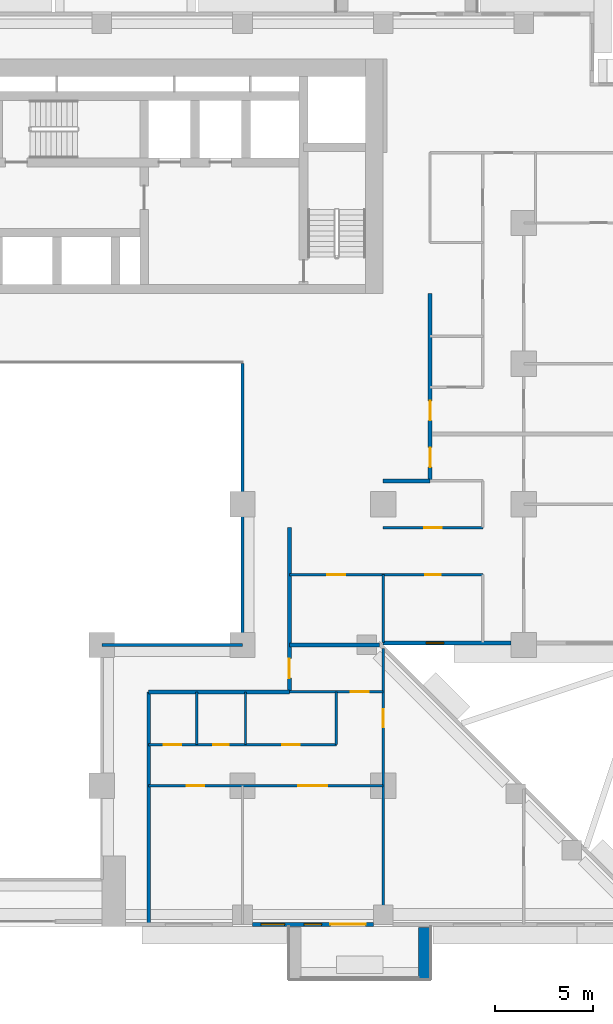
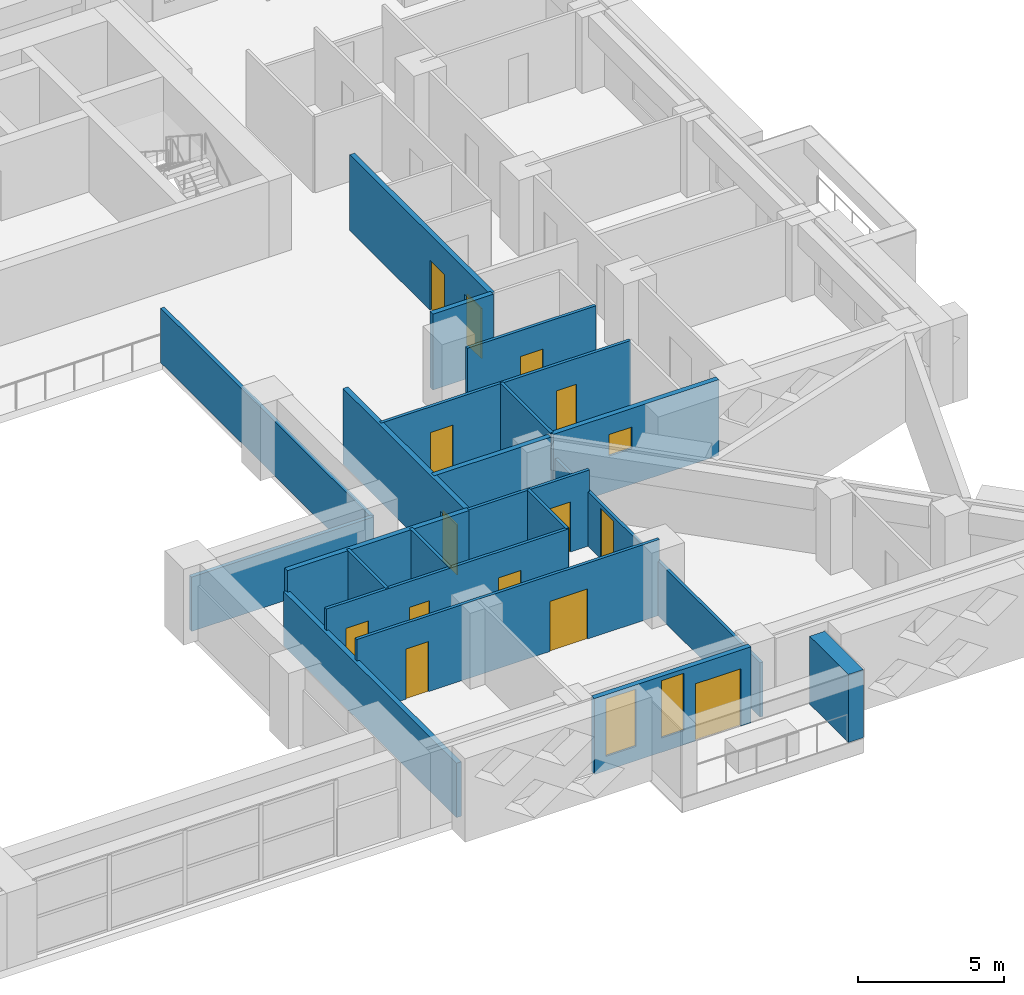
# One storey, part 8 of 16: 21 walls, 14 doors, 3 windows, 17 openings.
"""IFC4 building model written with IfcOpenShell, lengths in metres."""

from ifc_helpers import new_model, si_unit, direction, frame, frame_2d, origin, place, context, subcontext, project, spatial, rectangle, extrude, material, layer, layer_set, type_object, element, fill, save


model = new_model("IFC4")

# Units and contexts
model_context = context("Model", 3, precision=1e-05, world=origin(), true_north=direction((0.0, 1.0)))
body_context = subcontext(model_context, "Body", "Model", "MODEL_VIEW")
ifc_project = project(units=[si_unit("LENGTHUNIT", "METRE"), si_unit("AREAUNIT", "SQUARE_METRE"), si_unit("VOLUMEUNIT", "CUBIC_METRE"), si_unit("PLANEANGLEUNIT", "RADIAN"), si_unit("MASSUNIT", "GRAM", prefix="KILO")], contexts=[model_context])

# Site, building, storey
site_placement = place(None, origin())
site = spatial("IfcSite", under=ifc_project, at=site_placement, CompositionType="ELEMENT")
building_placement = place(site_placement, origin())
building = spatial("IfcBuilding", under=site, at=building_placement, Name="Saffron Iwan Residences", CompositionType="ELEMENT")
storey_placement = place(building_placement, frame((0.0, 0.0, 90.0)))
storey = spatial("IfcBuildingStorey", under=building, at=storey_placement, Name="L23", CompositionType="ELEMENT", Elevation=90.0)

# Walls
ifc_material_1 = material(Name="Fire-rated glazing", Category="glass")
ifc_layer_1 = layer(ifc_material_1, 0.14990234375)
ifc_layer_set_1 = layer_set([ifc_layer_1], Name="Fire-rated glazing")
wall_type_1 = type_object("IfcWallType", Name="Atrium glazed screen 150", PredefinedType="SOLIDWALL", material=ifc_layer_set_1)
wall_1_placement = place(storey_placement, frame((57.60009765625, 48.0, 0.0), z_axis=(0.0, 0.0, 1.0), x_axis=(1.0, 0.0, 0.0)))
element("IfcWall", 1, at=wall_1_placement, inside=storey, type_object=wall_type_1, Name="W-L23-SCREEN-h48-57.6", PredefinedType="SOLIDWALL", context=body_context, shape_type="SweptSolid", body=[
    extrude(rectangle(XDim=7.199951171875, YDim=0.14990234375, at=frame_2d((3.60009765625, 0.0))), origin(), (0.0, 0.0, 1.0), 2.280029296875),
])
wall_2_placement = place(storey_placement, frame((64.800048828125, 48.0, 0.0), z_axis=(0.0, 0.0, 1.0), x_axis=(0.0, 1.0, 0.0)))
element("IfcWall", 2, at=wall_2_placement, inside=storey, type_object=wall_type_1, Name="W-L23-SCREEN-v64.8-48", PredefinedType="SOLIDWALL", context=body_context, shape_type="SweptSolid", body=[
    extrude(rectangle(XDim=14.39990234375, YDim=0.14990234375, at=frame_2d((7.199951171875, 0.0))), origin(), (0.0, 0.0, 1.0), 2.280029296875),
])
ifc_material_2 = material(Name="Concrete C50/60 white painted", Category="concrete")
ifc_layer_2 = layer(ifc_material_2, 0.60009765625)
ifc_layer_set_2 = layer_set([ifc_layer_2], Name="Concrete C50/60 white painted")
wall_type_2 = type_object("IfcWallType", Name="BALCONY FIN 600", PredefinedType="SOLIDWALL", material=ifc_layer_set_2)
wall_3_placement = place(storey_placement, frame((74.10009765625, 33.550048828125, 0.0), z_axis=(0.0, 0.0, 1.0), x_axis=(0.0, -1.0, 0.0)))
element("IfcWall", 3, at=wall_3_placement, inside=storey, type_object=wall_type_2, Name="Balcony fin L23 11-1b", PredefinedType="SOLIDWALL", context=body_context, shape_type="SweptSolid", body=[
    extrude(rectangle(XDim=2.650146484375, YDim=0.60009765625, at=frame_2d((1.3251953125, 0.0))), origin(), (0.0, 0.0, 1.0), 2.85009765625),
])

# Wall, opening, window
ifc_material_3 = material(Name="Concrete C40/50", Category="concrete")
ifc_layer_3 = layer(ifc_material_3, 0.199951171875)
ifc_layer_set_3 = layer_set([ifc_layer_3], Name="Concrete C40/50")
wall_type_3 = type_object("IfcWallType", Name="EXTERNAL WALL 200", PredefinedType="SOLIDWALL", material=ifc_layer_set_3)
wall_4_placement = place(storey_placement, frame((71.988525390625, 48.10009765625, 0.0), z_axis=(0.0, 0.0, 1.0), x_axis=(1.0, 0.0, 0.0)))
wall_4 = element("IfcWall", 4, at=wall_4_placement, inside=storey, type_object=wall_type_3, Name="External wall L23 F1.0", PredefinedType="SOLIDWALL", context=body_context, shape_type="SweptSolid", body=[
    extrude(rectangle(XDim=6.5615234375, YDim=0.199951171875, at=frame_2d((3.28076171875, 0.0))), origin(), (0.0, 0.0, 1.0), 3.179931640625),
])
opening_1_placement = place(wall_4_placement, frame((2.205810546875, 0.0, 1.5)))
opening_1 = element("IfcOpeningElement", 5, at=opening_1_placement, cuts=wall_4, Name="Opening W6", PredefinedType="OPENING", context=body_context, shape_type="SweptSolid", body=[
    extrude(rectangle(XDim=0.89990234375, YDim=0.89990234375, at=frame_2d((0.449951171875, 0.449951171875))), frame((0.0, 0.10986328125, 0.0), z_axis=(0.0, -1.0, 0.0), x_axis=(1.0, 0.0, 0.0)), (0.0, 0.0, 1.0), 0.219970703125),
])
ifc_material_4 = material(Name="Clear glass, laminated double glazed", Category="glass")
window_type_1 = type_object("IfcWindowType", Name="WINDOW 900 x 900 BATH", PartitioningType="SINGLE_PANEL", PredefinedType="WINDOW", material=ifc_material_4)
window_1_placement = place(opening_1_placement, origin())
window_1 = element("IfcWindow", 6, at=window_1_placement, inside=storey, type_object=window_type_1, Name="Window L23 F1.0", OverallHeight=0.89990234375, OverallWidth=0.89990234375, PartitioningType="SINGLE_PANEL", PredefinedType="WINDOW", context=body_context, shape_type="SweptSolid", body=[
    extrude(rectangle(XDim=0.89990234375, YDim=0.89990234375, at=frame_2d((0.449951171875, 0.449951171875))), frame((0.0, 0.030029296875, 0.0), z_axis=(0.0, -1.0, 0.0), x_axis=(1.0, 0.0, 0.0)), (0.0, 0.0, 1.0), 0.06005859375),
])
fill(opening_1, window_1)

# Wall, openings, door, windows
wall_5_placement = place(storey_placement, frame((65.300048828125, 33.699951171875, 0.0), z_axis=(0.0, 0.0, 1.0), x_axis=(1.0, 0.0, 0.0)))
wall_5 = element("IfcWall", 7, at=wall_5_placement, inside=storey, type_object=wall_type_3, Name="External wall L23 F11.5", PredefinedType="SOLIDWALL", context=body_context, shape_type="SweptSolid", body=[
    extrude(rectangle(XDim=6.199951171875, YDim=0.199951171875, at=frame_2d((3.10009765625, 0.0))), origin(), (0.0, 0.0, 1.0), 3.179931640625),
])
opening_2_placement = place(wall_5_placement, frame((4.0, 0.0, 0.0)))
opening_2 = element("IfcOpeningElement", 8, at=opening_2_placement, cuts=wall_5, Name="Opening BD1", PredefinedType="OPENING", context=body_context, shape_type="SweptSolid", body=[
    extrude(rectangle(XDim=1.800048828125, YDim=2.39990234375, at=frame_2d((0.89990234375, 1.199951171875))), frame((0.0, 0.10986328125, 0.0), z_axis=(0.0, -1.0, 0.0), x_axis=(1.0, 0.0, 0.0)), (0.0, 0.0, 1.0), 0.219970703125),
])
opening_3_placement = place(wall_5_placement, frame((0.449951171875, 0.0, 0.60009765625)))
opening_3 = element("IfcOpeningElement", 9, at=opening_3_placement, cuts=wall_5, Name="Opening W3", PredefinedType="OPENING", context=body_context, shape_type="SweptSolid", body=[
    extrude(rectangle(XDim=1.199951171875, YDim=2.39990234375, at=frame_2d((0.60009765625, 1.199951171875))), frame((0.0, 0.10986328125, 0.0), z_axis=(0.0, -1.0, 0.0), x_axis=(1.0, 0.0, 0.0)), (0.0, 0.0, 1.0), 0.219970703125),
])
opening_4_placement = place(wall_5_placement, frame((2.64990234375, 0.0, 0.60009765625)))
opening_4 = element("IfcOpeningElement", 10, at=opening_4_placement, cuts=wall_5, Name="Opening W10", PredefinedType="OPENING", context=body_context, shape_type="SweptSolid", body=[
    extrude(rectangle(XDim=0.89990234375, YDim=2.39990234375, at=frame_2d((0.449951171875, 1.199951171875))), frame((0.0, 0.10986328125, 0.0), z_axis=(0.0, -1.0, 0.0), x_axis=(1.0, 0.0, 0.0)), (0.0, 0.0, 1.0), 0.219970703125),
])
door_type_1 = type_object("IfcDoorType", Name="BALCONY DOOR 1800 x 2400", OperationType="DOUBLE_DOOR_SLIDING", PredefinedType="DOOR", material=ifc_material_4)
door_1_placement = place(opening_2_placement, origin())
door_1 = element("IfcDoor", 11, at=door_1_placement, inside=storey, type_object=door_type_1, Name="Balcony door L23 F11.0", OperationType="DOUBLE_DOOR_SLIDING", OverallHeight=2.39990234375, OverallWidth=1.800048828125, PredefinedType="DOOR", context=body_context, shape_type="SweptSolid", body=[
    extrude(rectangle(XDim=1.800048828125, YDim=2.39990234375, at=frame_2d((0.89990234375, 1.199951171875))), frame((0.0, 0.02490234375, 0.0), z_axis=(0.0, -1.0, 0.0), x_axis=(1.0, 0.0, 0.0)), (0.0, 0.0, 1.0), 0.050048828125),
])
fill(opening_2, door_1)
window_type_2 = type_object("IfcWindowType", Name="WINDOW 1200 x 2400", PartitioningType="SINGLE_PANEL", PredefinedType="WINDOW", material=ifc_material_4)
window_2_placement = place(opening_3_placement, origin())
window_2 = element("IfcWindow", 12, at=window_2_placement, inside=storey, type_object=window_type_2, Name="Window L23 F11.1", OverallHeight=2.39990234375, OverallWidth=1.199951171875, PartitioningType="SINGLE_PANEL", PredefinedType="WINDOW", context=body_context, shape_type="SweptSolid", body=[
    extrude(rectangle(XDim=1.199951171875, YDim=2.39990234375, at=frame_2d((0.60009765625, 1.199951171875))), frame((0.0, 0.030029296875, 0.0), z_axis=(0.0, -1.0, 0.0), x_axis=(1.0, 0.0, 0.0)), (0.0, 0.0, 1.0), 0.06005859375),
])
fill(opening_3, window_2)
window_type_3 = type_object("IfcWindowType", Name="WINDOW 900 x 2400", PartitioningType="SINGLE_PANEL", PredefinedType="WINDOW", material=ifc_material_4)
window_3_placement = place(opening_4_placement, origin())
window_3 = element("IfcWindow", 13, at=window_3_placement, inside=storey, type_object=window_type_3, Name="Window L23 F11.2", OverallHeight=2.39990234375, OverallWidth=0.89990234375, PartitioningType="SINGLE_PANEL", PredefinedType="WINDOW", context=body_context, shape_type="SweptSolid", body=[
    extrude(rectangle(XDim=0.89990234375, YDim=2.39990234375, at=frame_2d((0.449951171875, 1.199951171875))), frame((0.0, 0.030029296875, 0.0), z_axis=(0.0, -1.0, 0.0), x_axis=(1.0, 0.0, 0.0)), (0.0, 0.0, 1.0), 0.06005859375),
])
fill(opening_4, window_3)

# Wall
ifc_material_5 = material(Name="Fire-rated gypsum board wall")
ifc_layer_4 = layer(ifc_material_5, 0.199951171875)
ifc_layer_set_4 = layer_set([ifc_layer_4], Name="Fire-rated gypsum board wall")
wall_type_4 = type_object("IfcWallType", Name="Flat demising wall 200", PredefinedType="SOLIDWALL", material=ifc_layer_set_4)
wall_6_placement = place(storey_placement, frame((67.199951171875, 48.0, 0.0), z_axis=(0.0, 0.0, 1.0), x_axis=(1.0, 0.0, 0.0)))
element("IfcWall", 14, at=wall_6_placement, inside=storey, type_object=wall_type_4, Name="W-L23-DEMISE-h48-67.2", PredefinedType="SOLIDWALL", context=body_context, shape_type="SweptSolid", body=[
    extrude(rectangle(XDim=4.623046875, YDim=0.199951171875, at=frame_2d((2.3115234375, 0.0))), origin(), (0.0, 0.0, 1.0), 3.179931640625),
])

# Wall, openings, doors
ifc_material_6 = material(Name="Gypsum board partition")
ifc_layer_5 = layer(ifc_material_6, 0.1201171875)
ifc_layer_set_5 = layer_set([ifc_layer_5], Name="Gypsum board partition")
wall_type_5 = type_object("IfcWallType", Name="Flat partition 120", PredefinedType="PARTITIONING", material=ifc_layer_set_5)
wall_7_placement = place(storey_placement, frame((60.0, 40.800048828125, 0.0), z_axis=(0.0, 0.0, 1.0), x_axis=(1.0, 0.0, 0.0)))
wall_7 = element("IfcWall", 15, at=wall_7_placement, inside=storey, type_object=wall_type_5, Name="W-L23-PART-h40.8-60", PredefinedType="PARTITIONING", context=body_context, shape_type="SweptSolid", body=[
    extrude(rectangle(XDim=12.0, YDim=0.1201171875, at=frame_2d((6.0, 0.0))), origin(), (0.0, 0.0, 1.0), 3.179931640625),
])
opening_5_placement = place(wall_7_placement, frame((7.64990234375, 0.0, 0.0)))
opening_5 = element("IfcOpeningElement", 16, at=opening_5_placement, cuts=wall_7, Name="Opening FD4", PredefinedType="OPENING", context=body_context, shape_type="SweptSolid", body=[
    extrude(rectangle(XDim=1.5, YDim=2.10009765625, at=frame_2d((0.75, 1.050048828125))), frame((0.0, 0.070068359375, 0.0), z_axis=(0.0, -1.0, 0.0), x_axis=(1.0, 0.0, 0.0)), (0.0, 0.0, 1.0), 0.14013671875),
])
opening_6_placement = place(wall_7_placement, frame((1.949951171875, 0.0, 0.0)))
opening_6 = element("IfcOpeningElement", 17, at=opening_6_placement, cuts=wall_7, Name="Opening FD2", PredefinedType="OPENING", context=body_context, shape_type="SweptSolid", body=[
    extrude(rectangle(XDim=0.89990234375, YDim=2.10009765625, at=frame_2d((0.449951171875, 1.050048828125))), frame((0.0, 0.070068359375, 0.0), z_axis=(0.0, -1.0, 0.0), x_axis=(1.0, 0.0, 0.0)), (0.0, 0.0, 1.0), 0.14013671875),
])
ifc_material_7 = material(Name="Timber door", Category="wood")
door_type_2 = type_object("IfcDoorType", Name="Double door 1500", OperationType="NOTDEFINED", PredefinedType="DOOR", material=ifc_material_7)
door_2_placement = place(opening_5_placement, origin())
door_2 = element("IfcDoor", 18, at=door_2_placement, inside=storey, type_object=door_type_2, Name="Door L23-044", OperationType="SINGLE_SWING_RIGHT", OverallHeight=2.10009765625, OverallWidth=1.5, PredefinedType="DOOR", context=body_context, shape_type="SweptSolid", body=[
    extrude(rectangle(XDim=1.5, YDim=2.10009765625, at=frame_2d((0.75, 1.050048828125))), frame((0.0, 0.02490234375, 0.0), z_axis=(0.0, -1.0, 0.0), x_axis=(1.0, 0.0, 0.0)), (0.0, 0.0, 1.0), 0.050048828125),
])
fill(opening_5, door_2)
door_type_3 = type_object("IfcDoorType", Name="Flat door 900", OperationType="NOTDEFINED", PredefinedType="DOOR", material=ifc_material_7)
door_3_placement = place(opening_6_placement, origin())
door_3 = element("IfcDoor", 19, at=door_3_placement, inside=storey, type_object=door_type_3, Name="Door L23-045", OperationType="SINGLE_SWING_LEFT", OverallHeight=2.10009765625, OverallWidth=0.89990234375, PredefinedType="DOOR", context=body_context, shape_type="SweptSolid", body=[
    extrude(rectangle(XDim=0.89990234375, YDim=2.10009765625, at=frame_2d((0.449951171875, 1.050048828125))), frame((0.0, 0.02490234375, 0.0), z_axis=(0.0, -1.0, 0.0), x_axis=(1.0, 0.0, 0.0)), (0.0, 0.0, 1.0), 0.050048828125),
])
fill(opening_6, door_3)

wall_8_placement = place(storey_placement, frame((60.0, 42.89990234375, 0.0), z_axis=(0.0, 0.0, 1.0), x_axis=(1.0, 0.0, 0.0)))
wall_8 = element("IfcWall", 20, at=wall_8_placement, inside=storey, type_object=wall_type_5, Name="W-L23-PART-h42.9-60", PredefinedType="PARTITIONING", context=body_context, shape_type="SweptSolid", body=[
    extrude(rectangle(XDim=9.60009765625, YDim=0.1201171875, at=frame_2d((4.800048828125, 0.0))), origin(), (0.0, 0.0, 1.0), 3.179931640625),
])
opening_7_placement = place(wall_8_placement, frame((6.824951171875, 0.0, 0.0)))
opening_7 = element("IfcOpeningElement", 21, at=opening_7_placement, cuts=wall_8, Name="Opening FD2", PredefinedType="OPENING", context=body_context, shape_type="SweptSolid", body=[
    extrude(rectangle(XDim=0.89990234375, YDim=2.10009765625, at=frame_2d((0.449951171875, 1.050048828125))), frame((0.0, 0.070068359375, 0.0), z_axis=(0.0, -1.0, 0.0), x_axis=(1.0, 0.0, 0.0)), (0.0, 0.0, 1.0), 0.14013671875),
])
opening_8_placement = place(wall_8_placement, frame((3.300048828125, 0.0, 0.0)))
opening_8 = element("IfcOpeningElement", 22, at=opening_8_placement, cuts=wall_8, Name="Opening FD3", PredefinedType="OPENING", context=body_context, shape_type="SweptSolid", body=[
    extrude(rectangle(XDim=0.800048828125, YDim=2.10009765625, at=frame_2d((0.39990234375, 1.050048828125))), frame((0.0, 0.070068359375, 0.0), z_axis=(0.0, -1.0, 0.0), x_axis=(1.0, 0.0, 0.0)), (0.0, 0.0, 1.0), 0.14013671875),
])
opening_9_placement = place(wall_8_placement, frame((0.77490234375, 0.0, 0.0)))
opening_9 = element("IfcOpeningElement", 23, at=opening_9_placement, cuts=wall_8, Name="Opening FD2", PredefinedType="OPENING", context=body_context, shape_type="SweptSolid", body=[
    extrude(rectangle(XDim=0.89990234375, YDim=2.10009765625, at=frame_2d((0.449951171875, 1.050048828125))), frame((0.0, 0.070068359375, 0.0), z_axis=(0.0, -1.0, 0.0), x_axis=(1.0, 0.0, 0.0)), (0.0, 0.0, 1.0), 0.14013671875),
])
door_type_4 = type_object("IfcDoorType", Name="Bathroom door 800", OperationType="NOTDEFINED", PredefinedType="DOOR", material=ifc_material_7)
door_4_placement = place(opening_8_placement, origin())
door_4 = element("IfcDoor", 24, at=door_4_placement, inside=storey, type_object=door_type_4, Name="Door L23-047", OperationType="SINGLE_SWING_RIGHT", OverallHeight=2.10009765625, OverallWidth=0.800048828125, PredefinedType="DOOR", context=body_context, shape_type="SweptSolid", body=[
    extrude(rectangle(XDim=0.800048828125, YDim=2.10009765625, at=frame_2d((0.39990234375, 1.050048828125))), frame((0.0, 0.02490234375, 0.0), z_axis=(0.0, -1.0, 0.0), x_axis=(1.0, 0.0, 0.0)), (0.0, 0.0, 1.0), 0.050048828125),
])
fill(opening_8, door_4)
door_5_placement = place(opening_7_placement, origin())
door_5 = element("IfcDoor", 25, at=door_5_placement, inside=storey, type_object=door_type_3, Name="Door L23-046", OperationType="SINGLE_SWING_LEFT", OverallHeight=2.10009765625, OverallWidth=0.89990234375, PredefinedType="DOOR", context=body_context, shape_type="SweptSolid", body=[
    extrude(rectangle(XDim=0.89990234375, YDim=2.10009765625, at=frame_2d((0.449951171875, 1.050048828125))), frame((0.0, 0.02490234375, 0.0), z_axis=(0.0, -1.0, 0.0), x_axis=(1.0, 0.0, 0.0)), (0.0, 0.0, 1.0), 0.050048828125),
])
fill(opening_7, door_5)
door_6_placement = place(opening_9_placement, origin())
door_6 = element("IfcDoor", 26, at=door_6_placement, inside=storey, type_object=door_type_3, Name="Door L23-048", OperationType="SINGLE_SWING_LEFT", OverallHeight=2.10009765625, OverallWidth=0.89990234375, PredefinedType="DOOR", context=body_context, shape_type="SweptSolid", body=[
    extrude(rectangle(XDim=0.89990234375, YDim=2.10009765625, at=frame_2d((0.449951171875, 1.050048828125))), frame((0.0, 0.02490234375, 0.0), z_axis=(0.0, -1.0, 0.0), x_axis=(1.0, 0.0, 0.0)), (0.0, 0.0, 1.0), 0.050048828125),
])
fill(opening_9, door_6)

# Wall, opening, door
wall_9_placement = place(storey_placement, frame((67.199951171875, 45.60009765625, 0.0), z_axis=(0.0, 0.0, 1.0), x_axis=(1.0, 0.0, 0.0)))
wall_9 = element("IfcWall", 27, at=wall_9_placement, inside=storey, type_object=wall_type_5, Name="W-L23-PART-h45.6-67.2", PredefinedType="PARTITIONING", context=body_context, shape_type="SweptSolid", body=[
    extrude(rectangle(XDim=4.800048828125, YDim=0.1201171875, at=frame_2d((2.39990234375, 0.0))), origin(), (0.0, 0.0, 1.0), 3.179931640625),
])
opening_10_placement = place(wall_9_placement, frame((3.14990234375, 0.0, 0.0)))
opening_10 = element("IfcOpeningElement", 28, at=opening_10_placement, cuts=wall_9, Name="Opening FD2", PredefinedType="OPENING", context=body_context, shape_type="SweptSolid", body=[
    extrude(rectangle(XDim=0.89990234375, YDim=2.10009765625, at=frame_2d((0.449951171875, 1.050048828125))), frame((0.0, 0.070068359375, 0.0), z_axis=(0.0, -1.0, 0.0), x_axis=(1.0, 0.0, 0.0)), (0.0, 0.0, 1.0), 0.14013671875),
])
door_7_placement = place(opening_10_placement, origin())
door_7 = element("IfcDoor", 29, at=door_7_placement, inside=storey, type_object=door_type_3, Name="Door L23-042", OperationType="SINGLE_SWING_LEFT", OverallHeight=2.10009765625, OverallWidth=0.89990234375, PredefinedType="DOOR", context=body_context, shape_type="SweptSolid", body=[
    extrude(rectangle(XDim=0.89990234375, YDim=2.10009765625, at=frame_2d((0.449951171875, 1.050048828125))), frame((0.0, 0.02490234375, 0.0), z_axis=(0.0, -1.0, 0.0), x_axis=(1.0, 0.0, 0.0)), (0.0, 0.0, 1.0), 0.050048828125),
])
fill(opening_10, door_7)

# Wall, openings, doors
wall_10_placement = place(storey_placement, frame((67.199951171875, 51.60009765625, 0.0), z_axis=(0.0, 0.0, 1.0), x_axis=(1.0, 0.0, 0.0)))
wall_10 = element("IfcWall", 30, at=wall_10_placement, inside=storey, type_object=wall_type_5, Name="W-L23-PART-h51.6-67.2", PredefinedType="PARTITIONING", context=body_context, shape_type="SweptSolid", body=[
    extrude(rectangle(XDim=9.900146484375, YDim=0.1201171875, at=frame_2d((4.9501953125, 0.0))), origin(), (0.0, 0.0, 1.0), 3.179931640625),
])
opening_11_placement = place(wall_10_placement, frame((6.949951171875, 0.0, 0.0)))
opening_11 = element("IfcOpeningElement", 31, at=opening_11_placement, cuts=wall_10, Name="Opening FD3", PredefinedType="OPENING", context=body_context, shape_type="SweptSolid", body=[
    extrude(rectangle(XDim=0.800048828125, YDim=2.10009765625, at=frame_2d((0.39990234375, 1.050048828125))), frame((0.0, 0.070068359375, 0.0), z_axis=(0.0, -1.0, 0.0), x_axis=(1.0, 0.0, 0.0)), (0.0, 0.0, 1.0), 0.14013671875),
])
opening_12_placement = place(wall_10_placement, frame((1.949951171875, 0.0, 0.0)))
opening_12 = element("IfcOpeningElement", 32, at=opening_12_placement, cuts=wall_10, Name="Opening FD2", PredefinedType="OPENING", context=body_context, shape_type="SweptSolid", body=[
    extrude(rectangle(XDim=0.89990234375, YDim=2.10009765625, at=frame_2d((0.449951171875, 1.050048828125))), frame((0.0, 0.070068359375, 0.0), z_axis=(0.0, -1.0, 0.0), x_axis=(1.0, 0.0, 0.0)), (0.0, 0.0, 1.0), 0.14013671875),
])
door_8_placement = place(opening_11_placement, origin())
door_8 = element("IfcDoor", 33, at=door_8_placement, inside=storey, type_object=door_type_4, Name="Door L23-024", OperationType="SINGLE_SWING_LEFT", OverallHeight=2.10009765625, OverallWidth=0.800048828125, PredefinedType="DOOR", context=body_context, shape_type="SweptSolid", body=[
    extrude(rectangle(XDim=0.800048828125, YDim=2.10009765625, at=frame_2d((0.39990234375, 1.050048828125))), frame((0.0, 0.02490234375, 0.0), z_axis=(0.0, -1.0, 0.0), x_axis=(1.0, 0.0, 0.0)), (0.0, 0.0, 1.0), 0.050048828125),
])
fill(opening_11, door_8)
door_9_placement = place(opening_12_placement, origin())
door_9 = element("IfcDoor", 34, at=door_9_placement, inside=storey, type_object=door_type_3, Name="Door L23-026", OperationType="SINGLE_SWING_RIGHT", OverallHeight=2.10009765625, OverallWidth=0.89990234375, PredefinedType="DOOR", context=body_context, shape_type="SweptSolid", body=[
    extrude(rectangle(XDim=0.89990234375, YDim=2.10009765625, at=frame_2d((0.449951171875, 1.050048828125))), frame((0.0, 0.02490234375, 0.0), z_axis=(0.0, -1.0, 0.0), x_axis=(1.0, 0.0, 0.0)), (0.0, 0.0, 1.0), 0.050048828125),
])
fill(opening_12, door_9)

# Wall, opening, door
wall_11_placement = place(storey_placement, frame((72.0, 54.0, 0.0), z_axis=(0.0, 0.0, 1.0), x_axis=(1.0, 0.0, 0.0)))
wall_11 = element("IfcWall", 35, at=wall_11_placement, inside=storey, type_object=wall_type_5, Name="W-L23-PART-h54-72", PredefinedType="PARTITIONING", context=body_context, shape_type="SweptSolid", body=[
    extrude(rectangle(XDim=5.10009765625, YDim=0.1201171875, at=frame_2d((2.550048828125, 0.0))), origin(), (0.0, 0.0, 1.0), 3.179931640625),
])
opening_13_placement = place(wall_11_placement, frame((2.10009765625, 0.0, 0.0)))
opening_13 = element("IfcOpeningElement", 36, at=opening_13_placement, cuts=wall_11, Name="Opening FD2", PredefinedType="OPENING", context=body_context, shape_type="SweptSolid", body=[
    extrude(rectangle(XDim=0.89990234375, YDim=2.10009765625, at=frame_2d((0.449951171875, 1.050048828125))), frame((0.0, 0.070068359375, 0.0), z_axis=(0.0, -1.0, 0.0), x_axis=(1.0, 0.0, 0.0)), (0.0, 0.0, 1.0), 0.14013671875),
])
door_10_placement = place(opening_13_placement, origin())
door_10 = element("IfcDoor", 37, at=door_10_placement, inside=storey, type_object=door_type_3, Name="Door L23-025", OperationType="SINGLE_SWING_LEFT", OverallHeight=2.10009765625, OverallWidth=0.89990234375, PredefinedType="DOOR", context=body_context, shape_type="SweptSolid", body=[
    extrude(rectangle(XDim=0.89990234375, YDim=2.10009765625, at=frame_2d((0.449951171875, 1.050048828125))), frame((0.0, 0.02490234375, 0.0), z_axis=(0.0, -1.0, 0.0), x_axis=(1.0, 0.0, 0.0)), (0.0, 0.0, 1.0), 0.050048828125),
])
fill(opening_13, door_10)

# Walls
for number, where, z_axis, x_axis, name in (
    (38, (62.449951171875, 42.89990234375, 0.0), (0.0, 0.0, 1.0), (0.0, 1.0, 0.0), "W-L23-PART-v62.45-42.9"),
    (39, (64.949951171875, 42.89990234375, 0.0), (0.0, 0.0, 1.0), (0.0, 1.0, 0.0), "W-L23-PART-v64.95-42.9"),
    (40, (69.60009765625, 42.89990234375, 0.0), (0.0, 0.0, 1.0), (0.0, 1.0, 0.0), "W-L23-PART-v69.6-42.9"),
):
    element("IfcWall", number, at=place(storey_placement, frame(where, z_axis=z_axis, x_axis=x_axis)), inside=storey, type_object=wall_type_5, Name=name, PredefinedType="PARTITIONING", context=body_context, shape_type="SweptSolid", body=[
        extrude(rectangle(XDim=2.7001953125, YDim=0.1201171875, at=frame_2d((1.35009765625, 0.0))), origin(), (0.0, 0.0, 1.0), 3.179931640625),
    ])

# Wall, opening, door
wall_12_placement = place(storey_placement, frame((72.0, 33.72509765625, 0.0), z_axis=(0.0, 0.0, 1.0), x_axis=(0.0, 1.0, 0.0)))
wall_12 = element("IfcWall", 41, at=wall_12_placement, inside=storey, type_object=wall_type_5, Name="W-L23-PART-v72-33.725", PredefinedType="PARTITIONING", context=body_context, shape_type="SweptSolid", body=[
    extrude(rectangle(XDim=14.097900390625, YDim=0.1201171875, at=frame_2d((7.048828125, 0.0))), origin(), (0.0, 0.0, 1.0), 2.280029296875),
])
opening_14_placement = place(wall_12_placement, frame((10.074951171875, 0.0, 0.0)))
opening_14 = element("IfcOpeningElement", 42, at=opening_14_placement, cuts=wall_12, Name="Opening FD2", PredefinedType="OPENING", context=body_context, shape_type="SweptSolid", body=[
    extrude(rectangle(XDim=0.89990234375, YDim=2.10009765625, at=frame_2d((0.449951171875, 1.050048828125))), frame((0.0, 0.070068359375, 0.0), z_axis=(0.0, -1.0, 0.0), x_axis=(1.0, 0.0, 0.0)), (0.0, 0.0, 1.0), 0.14013671875),
])
door_11_placement = place(opening_14_placement, origin())
door_11 = element("IfcDoor", 43, at=door_11_placement, inside=storey, type_object=door_type_3, Name="Door L23-049", OperationType="SINGLE_SWING_LEFT", OverallHeight=2.10009765625, OverallWidth=0.89990234375, PredefinedType="DOOR", context=body_context, shape_type="SweptSolid", body=[
    extrude(rectangle(XDim=0.89990234375, YDim=2.10009765625, at=frame_2d((0.449951171875, 1.050048828125))), frame((0.0, 0.02490234375, 0.0), z_axis=(0.0, -1.0, 0.0), x_axis=(1.0, 0.0, 0.0)), (0.0, 0.0, 1.0), 0.050048828125),
])
fill(opening_14, door_11)

# Walls
wall_13_placement = place(storey_placement, frame((72.0, 48.125, 0.0), z_axis=(0.0, 0.0, 1.0), x_axis=(0.0, 1.0, 0.0)))
element("IfcWall", 44, at=wall_13_placement, inside=storey, type_object=wall_type_5, Name="W-L23-PART-v72-48.125", PredefinedType="PARTITIONING", context=body_context, shape_type="SweptSolid", body=[
    extrude(rectangle(XDim=3.47509765625, YDim=0.1201171875, at=frame_2d((1.737548828125, 0.0))), origin(), (0.0, 0.0, 1.0), 3.179931640625),
])
ifc_layer_6 = layer(ifc_material_5, 0.199951171875)
ifc_layer_set_6 = layer_set([ifc_layer_6], Name="Fire-rated gypsum board wall")
wall_type_6 = type_object("IfcWallType", Name="Gallery wall 200", PredefinedType="SOLIDWALL", material=ifc_layer_set_6)
wall_14_placement = place(storey_placement, frame((60.0, 45.60009765625, 0.0), z_axis=(0.0, 0.0, 1.0), x_axis=(1.0, 0.0, 0.0)))
element("IfcWall", 45, at=wall_14_placement, inside=storey, type_object=wall_type_6, Name="W-L23-CORR-h45.6-60", PredefinedType="SOLIDWALL", context=body_context, shape_type="SweptSolid", body=[
    extrude(rectangle(XDim=7.199951171875, YDim=0.199951171875, at=frame_2d((3.60009765625, 0.0))), origin(), (0.0, 0.0, 1.0), 3.179931640625),
])
wall_15_placement = place(storey_placement, frame((72.0, 56.39990234375, 0.0), z_axis=(0.0, 0.0, 1.0), x_axis=(1.0, 0.0, 0.0)))
element("IfcWall", 46, at=wall_15_placement, inside=storey, type_object=wall_type_6, Name="W-L23-CORR-h56.4-72", PredefinedType="SOLIDWALL", context=body_context, shape_type="SweptSolid", body=[
    extrude(rectangle(XDim=2.39990234375, YDim=0.199951171875, at=frame_2d((1.199951171875, 0.0))), origin(), (0.0, 0.0, 1.0), 3.179931640625),
])
wall_16_placement = place(storey_placement, frame((60.0, 33.72509765625, 0.0), z_axis=(0.0, 0.0, 1.0), x_axis=(0.0, 1.0, 0.0)))
element("IfcWall", 47, at=wall_16_placement, inside=storey, type_object=wall_type_6, Name="W-L23-CORR-v60-33.725", PredefinedType="SOLIDWALL", context=body_context, shape_type="SweptSolid", body=[
    extrude(rectangle(XDim=11.875, YDim=0.199951171875, at=frame_2d((5.9375, 0.0))), origin(), (0.0, 0.0, 1.0), 2.280029296875),
])

# Wall, opening, door
wall_17_placement = place(storey_placement, frame((67.199951171875, 45.60009765625, 0.0), z_axis=(0.0, 0.0, 1.0), x_axis=(0.0, 1.0, 0.0)))
wall_17 = element("IfcWall", 48, at=wall_17_placement, inside=storey, type_object=wall_type_6, Name="W-L23-CORR-v67.2-45.6", PredefinedType="SOLIDWALL", context=body_context, shape_type="SweptSolid", body=[
    extrude(rectangle(XDim=8.39990234375, YDim=0.199951171875, at=frame_2d((4.199951171875, 0.0))), origin(), (0.0, 0.0, 1.0), 3.179931640625),
])
opening_15_placement = place(wall_17_placement, frame((0.699951171875, 0.0, 0.0)))
opening_15 = element("IfcOpeningElement", 49, at=opening_15_placement, cuts=wall_17, Name="Opening FD5", PredefinedType="OPENING", context=body_context, shape_type="SweptSolid", body=[
    extrude(rectangle(XDim=1.0, YDim=2.10009765625, at=frame_2d((0.5, 1.050048828125))), frame((0.0, 0.10986328125, 0.0), z_axis=(0.0, -1.0, 0.0), x_axis=(1.0, 0.0, 0.0)), (0.0, 0.0, 1.0), 0.219970703125),
])
ifc_material_8 = material(Name="Fire-rated timber door", Category="wood")
door_type_5 = type_object("IfcDoorType", Name="Lobby door 1000", OperationType="NOTDEFINED", PredefinedType="DOOR", material=ifc_material_8)
door_12_placement = place(opening_15_placement, origin())
door_12 = element("IfcDoor", 50, at=door_12_placement, inside=storey, type_object=door_type_5, Name="Door L23-043", OperationType="SINGLE_SWING_LEFT", OverallHeight=2.10009765625, OverallWidth=1.0, PredefinedType="DOOR", context=body_context, shape_type="SweptSolid", body=[
    extrude(rectangle(XDim=1.0, YDim=2.10009765625, at=frame_2d((0.5, 1.050048828125))), frame((0.0, 0.02490234375, 0.0), z_axis=(0.0, -1.0, 0.0), x_axis=(1.0, 0.0, 0.0)), (0.0, 0.0, 1.0), 0.050048828125),
])
fill(opening_15, door_12)

# Wall, openings, doors
wall_18_placement = place(storey_placement, frame((74.39990234375, 56.39990234375, 0.0), z_axis=(0.0, 0.0, 1.0), x_axis=(0.0, 1.0, 0.0)))
wall_18 = element("IfcWall", 51, at=wall_18_placement, inside=storey, type_object=wall_type_6, Name="W-L23-CORR-v74.4-56.4", PredefinedType="SOLIDWALL", context=body_context, shape_type="SweptSolid", body=[
    extrude(rectangle(XDim=9.60009765625, YDim=0.199951171875, at=frame_2d((4.800048828125, 0.0))), origin(), (0.0, 0.0, 1.0), 3.179931640625),
])
opening_16_placement = place(wall_18_placement, frame((0.699951171875, 0.0, 0.0)))
opening_16 = element("IfcOpeningElement", 52, at=opening_16_placement, cuts=wall_18, Name="Opening FD1", PredefinedType="OPENING", context=body_context, shape_type="SweptSolid", body=[
    extrude(rectangle(XDim=1.0, YDim=2.10009765625, at=frame_2d((0.5, 1.050048828125))), frame((0.0, 0.10986328125, 0.0), z_axis=(0.0, -1.0, 0.0), x_axis=(1.0, 0.0, 0.0)), (0.0, 0.0, 1.0), 0.219970703125),
])
opening_17_placement = place(wall_18_placement, frame((3.10009765625, 0.0, 0.0)))
opening_17 = element("IfcOpeningElement", 53, at=opening_17_placement, cuts=wall_18, Name="Opening FD1", PredefinedType="OPENING", context=body_context, shape_type="SweptSolid", body=[
    extrude(rectangle(XDim=1.0, YDim=2.10009765625, at=frame_2d((0.5, 1.050048828125))), frame((0.0, 0.10986328125, 0.0), z_axis=(0.0, -1.0, 0.0), x_axis=(1.0, 0.0, 0.0)), (0.0, 0.0, 1.0), 0.219970703125),
])
door_type_6 = type_object("IfcDoorType", Name="FD30S flat entrance door 1000", OperationType="NOTDEFINED", PredefinedType="DOOR", material=ifc_material_8)
door_13_placement = place(opening_16_placement, origin())
door_13 = element("IfcDoor", 54, at=door_13_placement, inside=storey, type_object=door_type_6, Name="Door L23-021", OperationType="SINGLE_SWING_LEFT", OverallHeight=2.10009765625, OverallWidth=1.0, PredefinedType="DOOR", context=body_context, shape_type="SweptSolid", body=[
    extrude(rectangle(XDim=1.0, YDim=2.10009765625, at=frame_2d((0.5, 1.050048828125))), frame((0.0, 0.02490234375, 0.0), z_axis=(0.0, -1.0, 0.0), x_axis=(1.0, 0.0, 0.0)), (0.0, 0.0, 1.0), 0.050048828125),
])
fill(opening_16, door_13)
door_14_placement = place(opening_17_placement, origin())
door_14 = element("IfcDoor", 55, at=door_14_placement, inside=storey, type_object=door_type_6, Name="Door L23-034", OperationType="SINGLE_SWING_LEFT", OverallHeight=2.10009765625, OverallWidth=1.0, PredefinedType="DOOR", context=body_context, shape_type="SweptSolid", body=[
    extrude(rectangle(XDim=1.0, YDim=2.10009765625, at=frame_2d((0.5, 1.050048828125))), frame((0.0, 0.02490234375, 0.0), z_axis=(0.0, -1.0, 0.0), x_axis=(1.0, 0.0, 0.0)), (0.0, 0.0, 1.0), 0.050048828125),
])
fill(opening_17, door_14)

save(model, "model.ifc")
